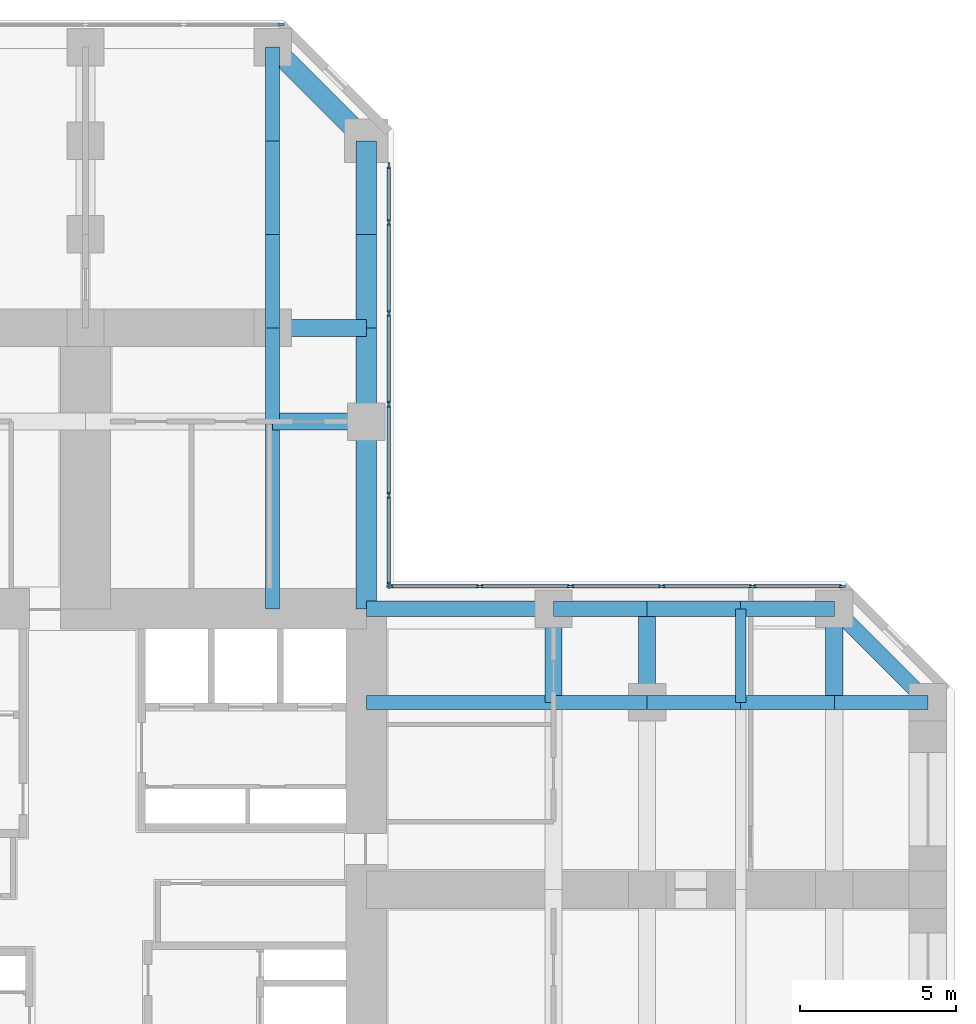
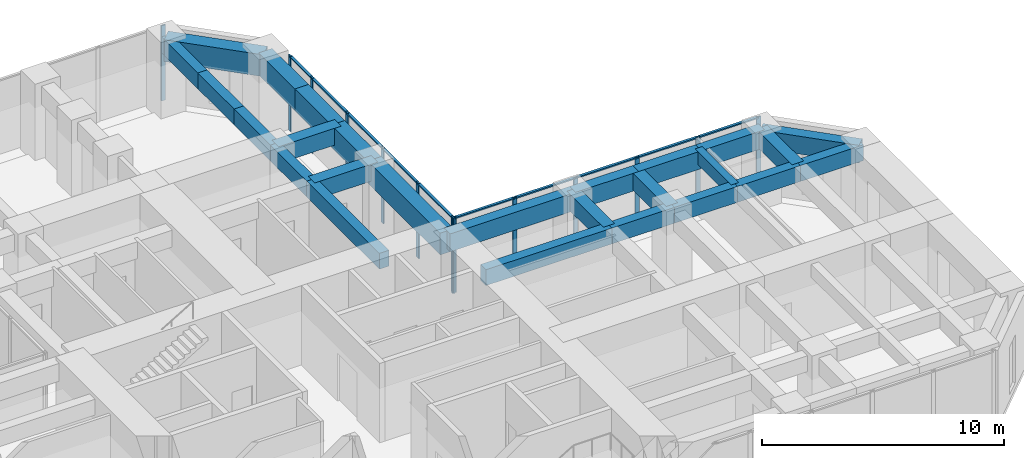
# One storey, part 6 of 12: 26 beams, 23 members, 3 elements without a shape of their own.
"""IFC4 building model written with IfcOpenShell, lengths in metres."""

from ifc_helpers import new_model, si_unit, direction, frame, origin, origin_2d, place, context, subcontext, project, spatial, rectangle, extrude, material, material_profile, profile_set, type_object, element, aggregate, save


model = new_model("IFC4")

# Units and contexts
model_context = context("Model", 3, precision=1e-05, world=origin(), true_north=direction((0.0, 1.0)))
body_context = subcontext(model_context, "Body", "Model", "MODEL_VIEW")
ifc_project = project(units=[si_unit("LENGTHUNIT", "METRE"), si_unit("AREAUNIT", "SQUARE_METRE"), si_unit("VOLUMEUNIT", "CUBIC_METRE"), si_unit("PLANEANGLEUNIT", "RADIAN"), si_unit("MASSUNIT", "GRAM", prefix="KILO")], contexts=[model_context])

# Site, building, storey
site_placement = place(None, origin())
site = spatial("IfcSite", under=ifc_project, at=site_placement, CompositionType="ELEMENT")
building_placement = place(site_placement, origin())
building = spatial("IfcBuilding", under=site, at=building_placement, Name="Torre Cruceta", CompositionType="ELEMENT")
storey_placement = place(building_placement, frame((0.0, 0.0, 83.5)))
storey = spatial("IfcBuildingStorey", under=building, at=storey_placement, Name="L20", CompositionType="ELEMENT", Elevation=83.5)

# Beams
ifc_material_1 = material(Name="Concrete G60 (fck 60 MPa)", Category="concrete")
ifc_material_profile_1 = material_profile(ifc_material_1, rectangle(XDim=0.449951171875, YDim=0.800048828125, at=origin_2d()), Name="RC 450X800")
ifc_profile_set_1 = profile_set([ifc_material_profile_1], Name="Concrete G60 (fck 60 MPa)")
beam_type_1 = type_object("IfcBeamType", Name="COLUMN LINE BEAM RC 450X800", PredefinedType="BEAM", material=ifc_profile_set_1)
beam_1_placement = place(storey_placement, frame((6.0, 9.0, 3.39990234375), z_axis=(0.0, 1.0, 0.0), x_axis=(-1.0, 0.0, 0.0)))
element("IfcBeam", 1, at=beam_1_placement, inside=storey, type_object=beam_type_1, Name="LB1 L20 N col- 1", PredefinedType="BEAM", context=body_context, shape_type="SweptSolid", body=[
    extrude(rectangle(XDim=0.449951171875, YDim=0.800048828125, at=origin_2d()), origin(), (0.0, 0.0, 1.0), 6.0),
])
for number, where, z_axis, x_axis, name in (
    (2, (6.0, 15.0, 3.39990234375), (0.0, 1.0, 0.0), (-1.0, 0.0, 0.0), "LB1 L20 N col- 2"),
    (3, (6.0, 18.0, 3.39990234375), (0.0, 1.0, 0.0), (-1.0, 0.0, 0.0), "LB1 L20 N col- 3"),
    (4, (6.0, 21.0, 3.39990234375), (0.0, 1.0, 0.0), (-1.0, 0.0, 0.0), "LB1 L20 N col- 4"),
    (5, (6.0, 24.0, 3.39990234375), (0.0, 1.0, 0.0), (-1.0, 0.0, 0.0), "LB1 L20 N col- 5"),
):
    element("IfcBeam", number, at=place(storey_placement, frame(where, z_axis=z_axis, x_axis=x_axis)), inside=storey, type_object=beam_type_1, Name=name, PredefinedType="BEAM", context=body_context, shape_type="SweptSolid", body=[
        extrude(rectangle(XDim=0.449951171875, YDim=0.800048828125, at=origin_2d()), origin(), (0.0, 0.0, 1.0), 3.0),
    ])
beam_2_placement = place(storey_placement, frame((9.0, 6.0, 3.39990234375), z_axis=(1.0, 0.0, 0.0), x_axis=(0.0, 1.0, 0.0)))
element("IfcBeam", 6, at=beam_2_placement, inside=storey, type_object=beam_type_1, Name="LB1 L20 E col+ 1", PredefinedType="BEAM", context=body_context, shape_type="SweptSolid", body=[
    extrude(rectangle(XDim=0.449951171875, YDim=0.800048828125, at=origin_2d()), origin(), (0.0, 0.0, 1.0), 6.0),
])
for number, where, z_axis, x_axis, name in (
    (7, (15.0, 6.0, 3.39990234375), (1.0, 0.0, 0.0), (0.0, 1.0, 0.0), "LB1 L20 E col+ 2"),
    (8, (18.0, 6.0, 3.39990234375), (1.0, 0.0, 0.0), (0.0, 1.0, 0.0), "LB1 L20 E col+ 3"),
    (9, (21.0, 6.0, 3.39990234375), (1.0, 0.0, 0.0), (0.0, 1.0, 0.0), "LB1 L20 E col+ 4"),
    (10, (24.0, 6.0, 3.39990234375), (1.0, 0.0, 0.0), (0.0, 1.0, 0.0), "LB1 L20 E col+ 5"),
):
    element("IfcBeam", number, at=place(storey_placement, frame(where, z_axis=z_axis, x_axis=x_axis)), inside=storey, type_object=beam_type_1, Name=name, PredefinedType="BEAM", context=body_context, shape_type="SweptSolid", body=[
        extrude(rectangle(XDim=0.449951171875, YDim=0.800048828125, at=origin_2d()), origin(), (0.0, 0.0, 1.0), 3.0),
    ])
ifc_material_2 = material(Name="Concrete G60 (fck 60 MPa)", Category="concrete")
ifc_material_profile_2 = material_profile(ifc_material_2, rectangle(XDim=0.550048828125, YDim=0.85009765625, at=origin_2d()), Name="RC 550X850")
ifc_profile_set_2 = profile_set([ifc_material_profile_2], Name="Concrete G60 (fck 60 MPa)")
beam_type_2 = type_object("IfcBeamType", Name="CROSS BEAM RC 550X850", PredefinedType="BEAM", material=ifc_profile_set_2)
for number, where, z_axis, x_axis, name in (
    (11, (9.0, 15.0, 3.375), (-1.0, 0.0, 0.0), (0.0, -1.0, 0.0), "GB4 L20 N cross15 1"),
    (12, (9.0, 18.0, 3.375), (-1.0, 0.0, 0.0), (0.0, -1.0, 0.0), "GB4 L20 N cross18 1"),
    (13, (15.0, 6.0, 3.375), (0.0, 1.0, 0.0), (-1.0, 0.0, 0.0), "GB4 L20 E cross15 4"),
    (14, (18.0, 6.0, 3.375), (0.0, 1.0, 0.0), (-1.0, 0.0, 0.0), "GB4 L20 E cross18 4"),
    (15, (24.0, 6.0, 3.375), (0.0, 1.0, 0.0), (-1.0, 0.0, 0.0), "GB4 L20 E cross24 4"),
):
    element("IfcBeam", number, at=place(storey_placement, frame(where, z_axis=z_axis, x_axis=x_axis)), inside=storey, type_object=beam_type_2, Name=name, PredefinedType="BEAM", context=body_context, shape_type="SweptSolid", body=[
        extrude(rectangle(XDim=0.550048828125, YDim=0.85009765625, at=origin_2d()), origin(), (0.0, 0.0, 1.0), 3.0),
    ])

# Curtain wall, members
ifc_material_3 = material(Name="Aluminium unitised curtain wall", Category="aluminium")
curtain_wall_type = type_object("IfcCurtainWallType", Name="CURTAIN WALL CW-A OFFICE LOW RISE", PredefinedType="USERDEFINED", material=ifc_material_3)
curtain_wall_1_placement = place(storey_placement, origin())
curtain_wall_1 = element("IfcCurtainWall", 16, at=curtain_wall_1_placement, inside=storey, type_object=curtain_wall_type, Name="CW-A L20 E side 04", ObjectType="UNITISED", PredefinedType="USERDEFINED")
ifc_material_4 = material(Name="Aluminium mullion", Category="aluminium")
ifc_material_profile_3 = material_profile(ifc_material_4, rectangle(XDim=0.06494140625, YDim=0.199951171875, at=origin_2d()), Name="AL 65X200")
ifc_profile_set_3 = profile_set([ifc_material_profile_3], Name="Aluminium mullion")
member_type_1 = type_object("IfcMemberType", Name="CW-A MULLION 65X200", PredefinedType="MULLION", material=ifc_profile_set_3)
member_1_placement = place(storey_placement, frame((24.265625, 9.719970703125, 0.0), z_axis=(0.0, 0.0, 1.0), x_axis=(0.0, -1.0, 0.0)))
member_1 = element("IfcMember", 17, at=member_1_placement, type_object=member_type_1, Name="CW-A mullion 1", PredefinedType="MULLION", context=body_context, shape_type="SweptSolid", body=[
    extrude(rectangle(XDim=0.06494140625, YDim=0.199951171875, at=origin_2d()), origin(), (0.0, 0.0, 1.0), 3.800048828125),
])
member_2_placement = place(storey_placement, frame((21.382568359375, 9.719970703125, 0.0), z_axis=(0.0, 0.0, 1.0), x_axis=(0.0, -1.0, 0.0)))
member_2 = element("IfcMember", 18, at=member_2_placement, type_object=member_type_1, Name="CW-A mullion 2", PredefinedType="MULLION", context=body_context, shape_type="SweptSolid", body=[
    extrude(rectangle(XDim=0.06494140625, YDim=0.199951171875, at=origin_2d()), origin(), (0.0, 0.0, 1.0), 3.800048828125),
])
member_3_placement = place(storey_placement, frame((18.467041015625, 9.719970703125, 0.0), z_axis=(0.0, 0.0, 1.0), x_axis=(0.0, -1.0, 0.0)))
member_3 = element("IfcMember", 19, at=member_3_placement, type_object=member_type_1, Name="CW-A mullion 3", PredefinedType="MULLION", context=body_context, shape_type="SweptSolid", body=[
    extrude(rectangle(XDim=0.06494140625, YDim=0.199951171875, at=origin_2d()), origin(), (0.0, 0.0, 1.0), 3.800048828125),
])
member_4_placement = place(storey_placement, frame((15.55126953125, 9.719970703125, 0.0), z_axis=(0.0, 0.0, 1.0), x_axis=(0.0, -1.0, 0.0)))
member_4 = element("IfcMember", 20, at=member_4_placement, type_object=member_type_1, Name="CW-A mullion 4", PredefinedType="MULLION", context=body_context, shape_type="SweptSolid", body=[
    extrude(rectangle(XDim=0.06494140625, YDim=0.199951171875, at=origin_2d()), origin(), (0.0, 0.0, 1.0), 3.800048828125),
])
member_5_placement = place(storey_placement, frame((12.6357421875, 9.719970703125, 0.0), z_axis=(0.0, 0.0, 1.0), x_axis=(0.0, -1.0, 0.0)))
member_5 = element("IfcMember", 21, at=member_5_placement, type_object=member_type_1, Name="CW-A mullion 5", PredefinedType="MULLION", context=body_context, shape_type="SweptSolid", body=[
    extrude(rectangle(XDim=0.06494140625, YDim=0.199951171875, at=origin_2d()), origin(), (0.0, 0.0, 1.0), 3.800048828125),
])
member_6_placement = place(storey_placement, frame((9.75244140625, 9.719970703125, 0.0), z_axis=(0.0, 0.0, 1.0), x_axis=(0.0, -1.0, 0.0)))
member_6 = element("IfcMember", 22, at=member_6_placement, type_object=member_type_1, Name="CW-A mullion 6", PredefinedType="MULLION", context=body_context, shape_type="SweptSolid", body=[
    extrude(rectangle(XDim=0.06494140625, YDim=0.199951171875, at=origin_2d()), origin(), (0.0, 0.0, 1.0), 3.800048828125),
])

curtain_wall_2_placement = place(storey_placement, origin())
curtain_wall_2 = element("IfcCurtainWall", 23, at=curtain_wall_2_placement, inside=storey, type_object=curtain_wall_type, Name="CW-A L20 N side 05", ObjectType="UNITISED", PredefinedType="USERDEFINED")
member_7_placement = place(storey_placement, frame((9.719970703125, 9.75244140625, 0.0), z_axis=(0.0, 0.0, 1.0), x_axis=(-1.0, 0.0, 0.0)))
member_7 = element("IfcMember", 24, at=member_7_placement, type_object=member_type_1, Name="CW-A mullion 1", PredefinedType="MULLION", context=body_context, shape_type="SweptSolid", body=[
    extrude(rectangle(XDim=0.06494140625, YDim=0.199951171875, at=origin_2d()), origin(), (0.0, 0.0, 1.0), 3.800048828125),
])
member_8_placement = place(storey_placement, frame((9.719970703125, 12.6357421875, 0.0), z_axis=(0.0, 0.0, 1.0), x_axis=(-1.0, 0.0, 0.0)))
member_8 = element("IfcMember", 25, at=member_8_placement, type_object=member_type_1, Name="CW-A mullion 2", PredefinedType="MULLION", context=body_context, shape_type="SweptSolid", body=[
    extrude(rectangle(XDim=0.06494140625, YDim=0.199951171875, at=origin_2d()), origin(), (0.0, 0.0, 1.0), 3.800048828125),
])
member_9_placement = place(storey_placement, frame((9.719970703125, 15.55126953125, 0.0), z_axis=(0.0, 0.0, 1.0), x_axis=(-1.0, 0.0, 0.0)))
member_9 = element("IfcMember", 26, at=member_9_placement, type_object=member_type_1, Name="CW-A mullion 3", PredefinedType="MULLION", context=body_context, shape_type="SweptSolid", body=[
    extrude(rectangle(XDim=0.06494140625, YDim=0.199951171875, at=origin_2d()), origin(), (0.0, 0.0, 1.0), 3.800048828125),
])
member_10_placement = place(storey_placement, frame((9.719970703125, 18.467041015625, 0.0), z_axis=(0.0, 0.0, 1.0), x_axis=(-1.0, 0.0, 0.0)))
member_10 = element("IfcMember", 27, at=member_10_placement, type_object=member_type_1, Name="CW-A mullion 4", PredefinedType="MULLION", context=body_context, shape_type="SweptSolid", body=[
    extrude(rectangle(XDim=0.06494140625, YDim=0.199951171875, at=origin_2d()), origin(), (0.0, 0.0, 1.0), 3.800048828125),
])
member_11_placement = place(storey_placement, frame((9.719970703125, 21.382568359375, 0.0), z_axis=(0.0, 0.0, 1.0), x_axis=(-1.0, 0.0, 0.0)))
member_11 = element("IfcMember", 28, at=member_11_placement, type_object=member_type_1, Name="CW-A mullion 5", PredefinedType="MULLION", context=body_context, shape_type="SweptSolid", body=[
    extrude(rectangle(XDim=0.06494140625, YDim=0.199951171875, at=origin_2d()), origin(), (0.0, 0.0, 1.0), 3.800048828125),
])
member_12_placement = place(storey_placement, frame((9.719970703125, 23.198974609375, 0.0), z_axis=(0.0, 0.0, 1.0), x_axis=(-1.0, 0.0, 0.0)))
member_12 = element("IfcMember", 29, at=member_12_placement, type_object=member_type_1, Name="CW-A mullion 6", PredefinedType="MULLION", context=body_context, shape_type="SweptSolid", body=[
    extrude(rectangle(XDim=0.06494140625, YDim=0.199951171875, at=origin_2d()), origin(), (0.0, 0.0, 1.0), 3.800048828125),
])

# Curtain wall, member
curtain_wall_3_placement = place(storey_placement, origin())
curtain_wall_3 = element("IfcCurtainWall", 30, at=curtain_wall_3_placement, inside=storey, type_object=curtain_wall_type, Name="CW-A L20 N tip 07", ObjectType="UNITISED", PredefinedType="USERDEFINED")
member_13_placement = place(storey_placement, frame((6.265625, 27.719970703125, 0.0), z_axis=(0.0, 0.0, 1.0), x_axis=(0.0, -1.0, 0.0)))
member_13 = element("IfcMember", 31, at=member_13_placement, type_object=member_type_1, Name="CW-A mullion 1", PredefinedType="MULLION", context=body_context, shape_type="SweptSolid", body=[
    extrude(rectangle(XDim=0.06494140625, YDim=0.199951171875, at=origin_2d()), origin(), (0.0, 0.0, 1.0), 3.800048828125),
])
aggregate(curtain_wall_3, [member_13])

# Member
ifc_material_5 = material(Name="Aluminium transom", Category="aluminium")
ifc_material_profile_4 = material_profile(ifc_material_5, rectangle(XDim=0.1201171875, YDim=0.06494140625, at=origin_2d()), Name="AL 120X65")
ifc_profile_set_4 = profile_set([ifc_material_profile_4], Name="Aluminium transom")
member_type_2 = type_object("IfcMemberType", Name="CW-A TRANSOM 65X120", PredefinedType="USERDEFINED", material=ifc_profile_set_4)
member_14_placement = place(storey_placement, frame((24.233154296875, 9.719970703125, 3.767578125), z_axis=(-1.0, 0.0, 0.0), x_axis=(0.0, -1.0, 0.0)))
member_14 = element("IfcMember", 32, at=member_14_placement, type_object=member_type_2, Name="CW-A transom 1", ObjectType="TRANSOM", PredefinedType="USERDEFINED", context=body_context, shape_type="SweptSolid", body=[
    extrude(rectangle(XDim=0.1201171875, YDim=0.06494140625, at=origin_2d()), origin(), (0.0, 0.0, 1.0), 2.818115234375),
])

member_15_placement = place(storey_placement, frame((21.35009765625, 9.719970703125, 3.767578125), z_axis=(-1.0, 0.0, 0.0), x_axis=(0.0, -1.0, 0.0)))
member_15 = element("IfcMember", 33, at=member_15_placement, type_object=member_type_2, Name="CW-A transom 2", ObjectType="TRANSOM", PredefinedType="USERDEFINED", context=body_context, shape_type="SweptSolid", body=[
    extrude(rectangle(XDim=0.1201171875, YDim=0.06494140625, at=origin_2d()), origin(), (0.0, 0.0, 1.0), 2.8505859375),
])

member_16_placement = place(storey_placement, frame((18.434326171875, 9.719970703125, 3.767578125), z_axis=(-1.0, 0.0, 0.0), x_axis=(0.0, -1.0, 0.0)))
member_16 = element("IfcMember", 34, at=member_16_placement, type_object=member_type_2, Name="CW-A transom 3", ObjectType="TRANSOM", PredefinedType="USERDEFINED", context=body_context, shape_type="SweptSolid", body=[
    extrude(rectangle(XDim=0.1201171875, YDim=0.06494140625, at=origin_2d()), origin(), (0.0, 0.0, 1.0), 2.8505859375),
])

member_17_placement = place(storey_placement, frame((15.518798828125, 9.719970703125, 3.767578125), z_axis=(-1.0, 0.0, 0.0), x_axis=(0.0, -1.0, 0.0)))
member_17 = element("IfcMember", 35, at=member_17_placement, type_object=member_type_2, Name="CW-A transom 4", ObjectType="TRANSOM", PredefinedType="USERDEFINED", context=body_context, shape_type="SweptSolid", body=[
    extrude(rectangle(XDim=0.1201171875, YDim=0.06494140625, at=origin_2d()), origin(), (0.0, 0.0, 1.0), 2.8505859375),
])

member_18_placement = place(storey_placement, frame((12.60302734375, 9.719970703125, 3.767578125), z_axis=(-1.0, 0.0, 0.0), x_axis=(0.0, -1.0, 0.0)))
member_18 = element("IfcMember", 36, at=member_18_placement, type_object=member_type_2, Name="CW-A transom 5", ObjectType="TRANSOM", PredefinedType="USERDEFINED", context=body_context, shape_type="SweptSolid", body=[
    extrude(rectangle(XDim=0.1201171875, YDim=0.06494140625, at=origin_2d()), origin(), (0.0, 0.0, 1.0), 2.818115234375),
])

aggregate(curtain_wall_1, [member_1, member_2, member_3, member_4, member_5, member_6, member_14, member_15, member_16, member_17, member_18])

member_19_placement = place(storey_placement, frame((9.719970703125, 9.784912109375, 3.767578125), z_axis=(0.0, 1.0, 0.0), x_axis=(-1.0, 0.0, 0.0)))
member_19 = element("IfcMember", 37, at=member_19_placement, type_object=member_type_2, Name="CW-A transom 1", ObjectType="TRANSOM", PredefinedType="USERDEFINED", context=body_context, shape_type="SweptSolid", body=[
    extrude(rectangle(XDim=0.1201171875, YDim=0.06494140625, at=origin_2d()), origin(), (0.0, 0.0, 1.0), 2.818115234375),
])

member_20_placement = place(storey_placement, frame((9.719970703125, 12.668212890625, 3.767578125), z_axis=(0.0, 1.0, 0.0), x_axis=(-1.0, 0.0, 0.0)))
member_20 = element("IfcMember", 38, at=member_20_placement, type_object=member_type_2, Name="CW-A transom 2", ObjectType="TRANSOM", PredefinedType="USERDEFINED", context=body_context, shape_type="SweptSolid", body=[
    extrude(rectangle(XDim=0.1201171875, YDim=0.06494140625, at=origin_2d()), origin(), (0.0, 0.0, 1.0), 2.8505859375),
])

member_21_placement = place(storey_placement, frame((9.719970703125, 15.583740234375, 3.767578125), z_axis=(0.0, 1.0, 0.0), x_axis=(-1.0, 0.0, 0.0)))
member_21 = element("IfcMember", 39, at=member_21_placement, type_object=member_type_2, Name="CW-A transom 3", ObjectType="TRANSOM", PredefinedType="USERDEFINED", context=body_context, shape_type="SweptSolid", body=[
    extrude(rectangle(XDim=0.1201171875, YDim=0.06494140625, at=origin_2d()), origin(), (0.0, 0.0, 1.0), 2.8505859375),
])

member_22_placement = place(storey_placement, frame((9.719970703125, 18.49951171875, 3.767578125), z_axis=(0.0, 1.0, 0.0), x_axis=(-1.0, 0.0, 0.0)))
member_22 = element("IfcMember", 40, at=member_22_placement, type_object=member_type_2, Name="CW-A transom 4", ObjectType="TRANSOM", PredefinedType="USERDEFINED", context=body_context, shape_type="SweptSolid", body=[
    extrude(rectangle(XDim=0.1201171875, YDim=0.06494140625, at=origin_2d()), origin(), (0.0, 0.0, 1.0), 2.8505859375),
])

member_23_placement = place(storey_placement, frame((9.719970703125, 21.4150390625, 3.767578125), z_axis=(0.0, 1.0, 0.0), x_axis=(-1.0, 0.0, 0.0)))
member_23 = element("IfcMember", 41, at=member_23_placement, type_object=member_type_2, Name="CW-A transom 5", ObjectType="TRANSOM", PredefinedType="USERDEFINED", context=body_context, shape_type="SweptSolid", body=[
    extrude(rectangle(XDim=0.1201171875, YDim=0.06494140625, at=origin_2d()), origin(), (0.0, 0.0, 1.0), 1.75146484375),
])

aggregate(curtain_wall_2, [member_7, member_8, member_9, member_10, member_11, member_12, member_19, member_20, member_21, member_22, member_23])

# Beams
ifc_material_6 = material(Name="Concrete G60 (fck 60 MPa)", Category="concrete")
ifc_material_profile_5 = material_profile(ifc_material_6, rectangle(XDim=0.35009765625, YDim=0.64990234375, at=origin_2d()), Name="RC 350X650")
ifc_profile_set_5 = profile_set([ifc_material_profile_5], Name="Concrete G60 (fck 60 MPa)")
beam_type_3 = type_object("IfcBeamType", Name="SECONDARY BEAM RC 350X650", PredefinedType="JOIST", material=ifc_profile_set_5)
beam_3_placement = place(storey_placement, frame((21.0, 6.0, 3.47509765625), z_axis=(0.0, 1.0, 0.0), x_axis=(-1.0, 0.0, 0.0)))
element("IfcBeam", 42, at=beam_3_placement, inside=storey, type_object=beam_type_3, Name="JB3 L20 E sec21 4", PredefinedType="JOIST", context=body_context, shape_type="SweptSolid", body=[
    extrude(rectangle(XDim=0.35009765625, YDim=0.64990234375, at=origin_2d()), origin(), (0.0, 0.0, 1.0), 3.0),
])
ifc_material_7 = material(Name="Concrete G60 (fck 60 MPa)", Category="concrete")
ifc_material_profile_6 = material_profile(ifc_material_7, rectangle(XDim=0.5, YDim=0.89990234375, at=origin_2d()), Name="RC 500X900")
ifc_profile_set_6 = profile_set([ifc_material_profile_6], Name="Concrete G60 (fck 60 MPa)")
beam_type_4 = type_object("IfcBeamType", Name="SPANDREL BEAM RC 500X900", PredefinedType="SPANDREL", material=ifc_profile_set_6)
beam_4_placement = place(storey_placement, frame((9.0, 9.0, 3.35009765625), z_axis=(1.0, 0.0, 0.0), x_axis=(0.0, 1.0, 0.0)))
element("IfcBeam", 43, at=beam_4_placement, inside=storey, type_object=beam_type_4, Name="SB4 L20 E side+ 1", PredefinedType="SPANDREL", context=body_context, shape_type="SweptSolid", body=[
    extrude(rectangle(XDim=0.5, YDim=0.89990234375, at=origin_2d()), origin(), (0.0, 0.0, 1.0), 6.0),
])
for number, where, z_axis, x_axis, name in (
    (44, (15.0, 9.0, 3.35009765625), (1.0, 0.0, 0.0), (0.0, 1.0, 0.0), "SB4 L20 E side+ 2"),
    (45, (18.0, 9.0, 3.35009765625), (1.0, 0.0, 0.0), (0.0, 1.0, 0.0), "SB4 L20 E side+ 3"),
    (46, (21.0, 9.0, 3.35009765625), (1.0, 0.0, 0.0), (0.0, 1.0, 0.0), "SB4 L20 E side+ 4"),
):
    element("IfcBeam", number, at=place(storey_placement, frame(where, z_axis=z_axis, x_axis=x_axis)), inside=storey, type_object=beam_type_4, Name=name, PredefinedType="SPANDREL", context=body_context, shape_type="SweptSolid", body=[
        extrude(rectangle(XDim=0.5, YDim=0.89990234375, at=origin_2d()), origin(), (0.0, 0.0, 1.0), 3.0),
    ])
beam_5_placement = place(storey_placement, frame((24.0, 9.0, 3.35009765625), z_axis=(0.707106781187, -0.707106781187, 0.0), x_axis=(0.707106781187, 0.707106781187, 0.0)))
element("IfcBeam", 47, at=beam_5_placement, inside=storey, type_object=beam_type_4, Name="SB4 L20 E side+ 5", PredefinedType="SPANDREL", context=body_context, shape_type="SweptSolid", body=[
    extrude(rectangle(XDim=0.5, YDim=0.89990234375, at=origin_2d()), origin(), (0.0, 0.0, 1.0), 4.24267578125),
])
ifc_material_8 = material(Name="Concrete G60 (fck 60 MPa)", Category="concrete")
ifc_material_profile_7 = material_profile(ifc_material_8, rectangle(XDim=0.64990234375, YDim=1.10009765625, at=origin_2d()), Name="RC 650X1100")
ifc_profile_set_7 = profile_set([ifc_material_profile_7], Name="Concrete G60 (fck 60 MPa)")
beam_type_5 = type_object("IfcBeamType", Name="SPANDREL BEAM RC 650X1100", PredefinedType="SPANDREL", material=ifc_profile_set_7)
beam_6_placement = place(storey_placement, frame((9.0, 9.0, 3.25), z_axis=(0.0, 1.0, 0.0), x_axis=(-1.0, 0.0, 0.0)))
element("IfcBeam", 48, at=beam_6_placement, inside=storey, type_object=beam_type_5, Name="SB3 L20 N side- 1", PredefinedType="SPANDREL", context=body_context, shape_type="SweptSolid", body=[
    extrude(rectangle(XDim=0.64990234375, YDim=1.10009765625, at=origin_2d()), origin(), (0.0, 0.0, 1.0), 6.0),
])
for number, where, z_axis, x_axis, name in (
    (49, (9.0, 15.0, 3.25), (0.0, 1.0, 0.0), (-1.0, 0.0, 0.0), "SB3 L20 N side- 2"),
    (50, (9.0, 18.0, 3.25), (0.0, 1.0, 0.0), (-1.0, 0.0, 0.0), "SB3 L20 N side- 3"),
    (51, (9.0, 21.0, 3.25), (0.0, 1.0, 0.0), (-1.0, 0.0, 0.0), "SB3 L20 N side- 4"),
):
    element("IfcBeam", number, at=place(storey_placement, frame(where, z_axis=z_axis, x_axis=x_axis)), inside=storey, type_object=beam_type_5, Name=name, PredefinedType="SPANDREL", context=body_context, shape_type="SweptSolid", body=[
        extrude(rectangle(XDim=0.64990234375, YDim=1.10009765625, at=origin_2d()), origin(), (0.0, 0.0, 1.0), 3.0),
    ])
beam_7_placement = place(storey_placement, frame((9.0, 24.0, 3.25), z_axis=(-0.707106781187, 0.707106781187, 0.0), x_axis=(-0.707106781187, -0.707106781187, 0.0)))
element("IfcBeam", 52, at=beam_7_placement, inside=storey, type_object=beam_type_5, Name="SB3 L20 N side- 5", PredefinedType="SPANDREL", context=body_context, shape_type="SweptSolid", body=[
    extrude(rectangle(XDim=0.64990234375, YDim=1.10009765625, at=origin_2d()), origin(), (0.0, 0.0, 1.0), 4.24267578125),
])

save(model, "model.ifc")
